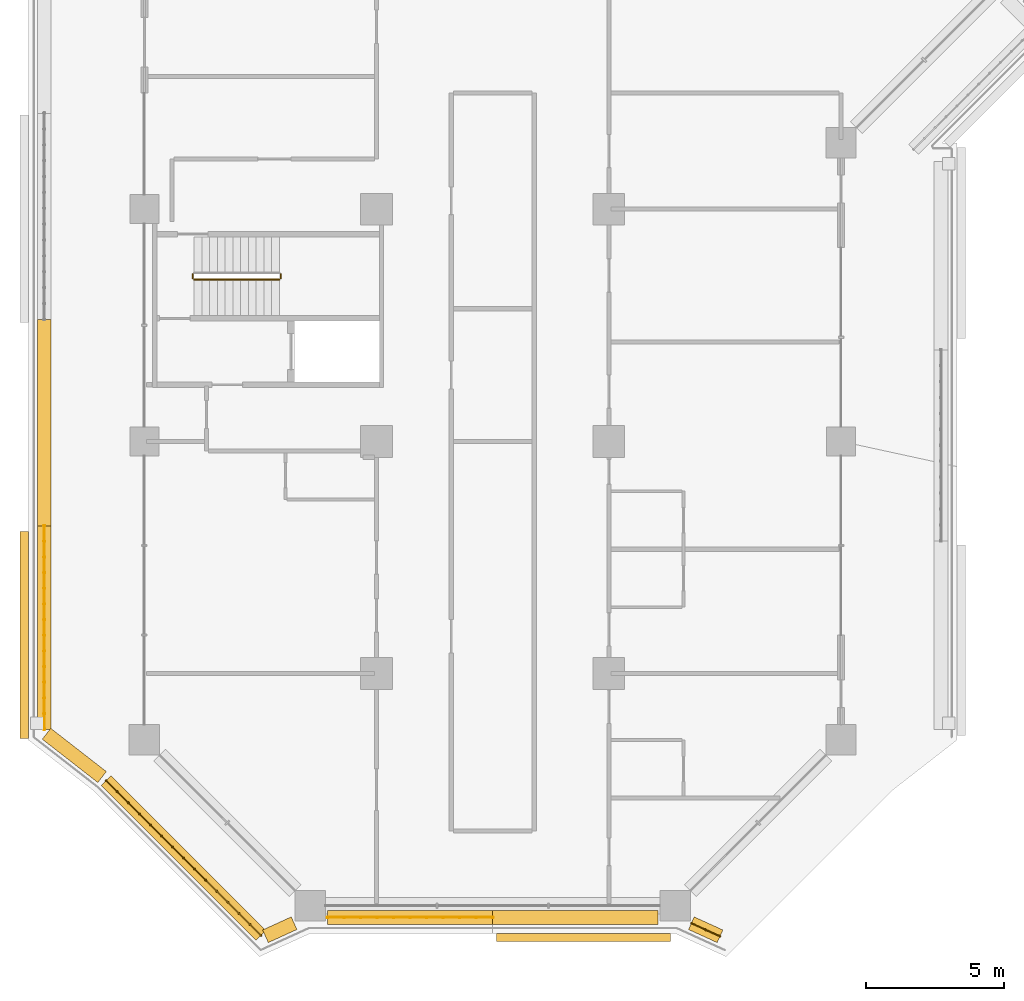
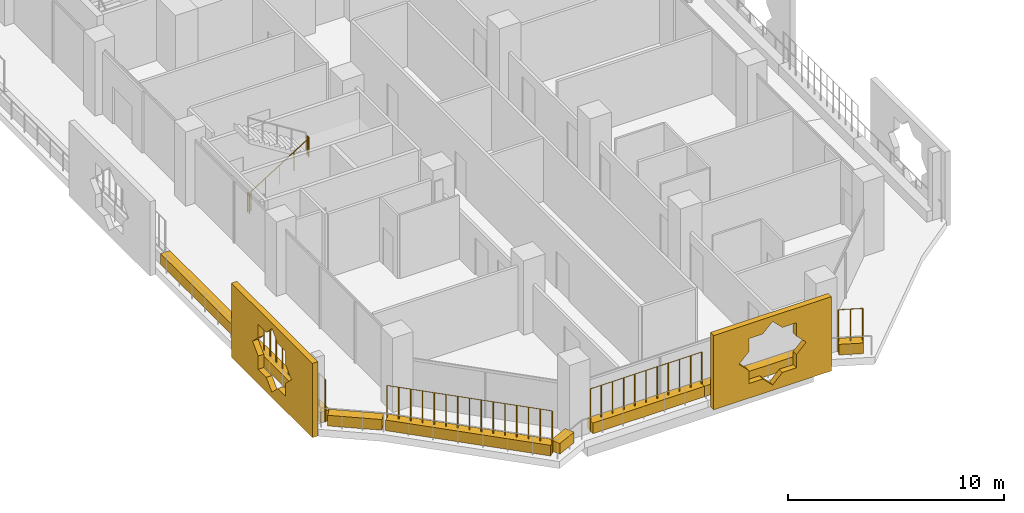
# One storey, part 19 of 25: 10 coverings, 7 railings.
"""IFC4 building model written with IfcOpenShell, lengths in metres."""

from ifc_helpers import new_model, si_unit, direction, frame, origin, origin_2d, place, context, subcontext, project, spatial, polyline, rectangle, circle, outline, extrude, material, material_profile, profile_set, type_object, element, save


model = new_model("IFC4")

# Units and contexts
model_context = context("Model", 3, precision=1e-05, world=origin(), true_north=direction((0.0, 1.0)))
body_context = subcontext(model_context, "Body", "Model", "MODEL_VIEW")
ifc_project = project(units=[si_unit("LENGTHUNIT", "METRE"), si_unit("AREAUNIT", "SQUARE_METRE"), si_unit("VOLUMEUNIT", "CUBIC_METRE"), si_unit("PLANEANGLEUNIT", "RADIAN"), si_unit("MASSUNIT", "GRAM", prefix="KILO")], contexts=[model_context])

# Site, building, storey
site_placement = place(None, origin())
site = spatial("IfcSite", under=ifc_project, at=site_placement, CompositionType="ELEMENT")
building_placement = place(site_placement, origin())
building = spatial("IfcBuilding", under=site, at=building_placement, Name="Kawkab Arch Medical Tower", CompositionType="ELEMENT")
storey_placement = place(building_placement, frame((0.0, 0.0, 145.0)))
storey = spatial("IfcBuildingStorey", under=building, at=storey_placement, Name="L33", CompositionType="ELEMENT", Elevation=145.0)

# Coverings
ifc_material_1 = material(Name="Bronze anodised aluminium mashrabiya panel, eight-point star pattern", Category="aluminium")
ifc_material_profile_1 = material_profile(ifc_material_1, outline(polyline([(-3.14990234375, -2.10009765625), (3.14990234375, -2.10009765625), (3.14990234375, 2.10009765625), (-3.14990234375, 2.10009765625), (-3.14990234375, -2.10009765625)]), holes=[polyline([(1.800048828125, 0.0), (1.272705078125, 0.527099609375), (1.272705078125, 1.272705078125), (0.527099609375, 1.272705078125), (0.0, 1.800048828125), (-0.527099609375, 1.272705078125), (-1.272705078125, 1.272705078125), (-1.272705078125, 0.527099609375), (-1.800048828125, 0.0), (-1.272705078125, -0.527099609375), (-1.272705078125, -1.272705078125), (-0.527099609375, -1.272705078125), (0.0, -1.800048828125), (0.527099609375, -1.272705078125), (1.272705078125, -1.272705078125), (1.272705078125, -0.527099609375), (1.800048828125, 0.0)])]), Name="Mashrabiya panel 6300x4200")
ifc_profile_set_1 = profile_set([ifc_material_profile_1], Name="Bronze anodised aluminium mashrabiya panel, eight-point star pattern")
covering_type_1 = type_object("IfcCoveringType", Name="Mashrabiya panel 6300 x 4200", PredefinedType="USERDEFINED", material=ifc_profile_set_1)
covering_1_placement = place(storey_placement, frame((15.881103515625, -59.800048828125, 1.699951171875), z_axis=(0.0, -1.0, 0.0), x_axis=(1.0, 0.0, 0.0)))
element("IfcCovering", 1, at=covering_1_placement, inside=storey, type_object=covering_type_1, Name="Mashrabiya panel L33.LOG-01-01.1", ObjectType="SCREEN", PredefinedType="USERDEFINED", context=body_context, shape_type="SweptSolid", body=[
    extrude(outline(polyline([(-3.14990234375, -2.10009765625), (3.14990234375, -2.10009765625), (3.14990234375, 2.10009765625), (-3.14990234375, 2.10009765625), (-3.14990234375, -2.10009765625)]), holes=[polyline([(1.800048828125, 0.0), (1.272705078125, 0.527099609375), (1.272705078125, 1.272705078125), (0.527099609375, 1.272705078125), (0.0, 1.800048828125), (-0.527099609375, 1.272705078125), (-1.272705078125, 1.272705078125), (-1.272705078125, 0.527099609375), (-1.800048828125, 0.0), (-1.272705078125, -0.527099609375), (-1.272705078125, -1.272705078125), (-0.527099609375, -1.272705078125), (0.0, -1.800048828125), (0.527099609375, -1.272705078125), (1.272705078125, -1.272705078125), (1.272705078125, -0.527099609375), (1.800048828125, 0.0)])]), origin(), (0.0, 0.0, 1.0), 0.300048828125),
])
ifc_material_2 = material(Name="Bronze anodised aluminium mashrabiya panel, eight-point star pattern", Category="aluminium")
ifc_material_profile_2 = material_profile(ifc_material_2, outline(polyline([(-3.75, -2.10009765625), (3.75, -2.10009765625), (3.75, 2.10009765625), (-3.75, 2.10009765625), (-3.75, -2.10009765625)]), holes=[polyline([(1.800048828125, 0.0), (1.272705078125, 0.527099609375), (1.272705078125, 1.272705078125), (0.527099609375, 1.272705078125), (0.0, 1.800048828125), (-0.527099609375, 1.272705078125), (-1.272705078125, 1.272705078125), (-1.272705078125, 0.527099609375), (-1.800048828125, 0.0), (-1.272705078125, -0.527099609375), (-1.272705078125, -1.272705078125), (-0.527099609375, -1.272705078125), (0.0, -1.800048828125), (0.527099609375, -1.272705078125), (1.272705078125, -1.272705078125), (1.272705078125, -0.527099609375), (1.800048828125, 0.0)])]), Name="Mashrabiya panel 7500x4200")
ifc_profile_set_2 = profile_set([ifc_material_profile_2], Name="Bronze anodised aluminium mashrabiya panel, eight-point star pattern")
covering_type_2 = type_object("IfcCoveringType", Name="Mashrabiya panel 7500 x 4200", PredefinedType="USERDEFINED", material=ifc_profile_set_2)
covering_2_placement = place(storey_placement, frame((-4.199951171875, -49.00439453125, 1.699951171875), z_axis=(-1.0, 0.0, 0.0), x_axis=(0.0, -1.0, 0.0)))
element("IfcCovering", 2, at=covering_2_placement, inside=storey, type_object=covering_type_2, Name="Mashrabiya panel L33.LOG-01-01.2", ObjectType="SCREEN", PredefinedType="USERDEFINED", context=body_context, shape_type="SweptSolid", body=[
    extrude(outline(polyline([(-3.75, -2.10009765625), (3.75, -2.10009765625), (3.75, 2.10009765625), (-3.75, 2.10009765625), (-3.75, -2.10009765625)]), holes=[polyline([(1.800048828125, 0.0), (1.272705078125, 0.527099609375), (1.272705078125, 1.272705078125), (0.527099609375, 1.272705078125), (0.0, 1.800048828125), (-0.527099609375, 1.272705078125), (-1.272705078125, 1.272705078125), (-1.272705078125, 0.527099609375), (-1.800048828125, 0.0), (-1.272705078125, -0.527099609375), (-1.272705078125, -1.272705078125), (-0.527099609375, -1.272705078125), (0.0, -1.800048828125), (0.527099609375, -1.272705078125), (1.272705078125, -1.272705078125), (1.272705078125, -0.527099609375), (1.800048828125, 0.0)])]), origin(), (0.0, 0.0, 1.0), 0.300048828125),
])
ifc_material_3 = material(Name="Planting soil in a precast trough", Category="concrete")
ifc_material_profile_3 = material_profile(ifc_material_3, rectangle(XDim=0.5, YDim=0.60009765625, at=origin_2d()), Name="Trough 500x600")
ifc_profile_set_3 = profile_set([ifc_material_profile_3], Name="Planting soil in a precast trough")
covering_type_3 = type_object("IfcCoveringType", Name="Planter trough 500 x 600", PredefinedType="USERDEFINED", material=ifc_profile_set_3)
covering_3_placement = place(storey_placement, frame((20.821044921875, -59.902099609375, 0.300048828125), z_axis=(-0.909821891123, 0.414998947508, 0.0), x_axis=(-0.414998947508, -0.909821891123, 0.0)))
element("IfcCovering", 3, at=covering_3_placement, inside=storey, type_object=covering_type_3, Name="Planter L33.LOG-01-01.1", ObjectType="PLANTER", PredefinedType="USERDEFINED", context=body_context, shape_type="SweptSolid", body=[
    extrude(rectangle(XDim=0.5, YDim=0.60009765625, at=origin_2d()), origin(), (0.0, 0.0, 1.0), 1.1376953125),
])
covering_4_placement = place(storey_placement, frame((18.570068359375, -59.219970703125, 0.300048828125), z_axis=(-1.0, 0.0, 0.0), x_axis=(0.0, -1.0, 0.0)))
element("IfcCovering", 4, at=covering_4_placement, inside=storey, type_object=covering_type_3, Name="Planter L33.LOG-01-01.2", ObjectType="PLANTER", PredefinedType="USERDEFINED", context=body_context, shape_type="SweptSolid", body=[
    extrude(rectangle(XDim=0.5, YDim=0.60009765625, at=origin_2d()), origin(), (0.0, 0.0, 1.0), 5.969970703125),
])
covering_5_placement = place(storey_placement, frame((12.60009765625, -59.219970703125, 0.300048828125), z_axis=(-1.0, 0.0, 0.0), x_axis=(0.0, -1.0, 0.0)))
element("IfcCovering", 5, at=covering_5_placement, inside=storey, type_object=covering_type_3, Name="Planter L33.LOG-01-01.3", ObjectType="PLANTER", PredefinedType="USERDEFINED", context=body_context, shape_type="SweptSolid", body=[
    extrude(rectangle(XDim=0.5, YDim=0.60009765625, at=origin_2d()), origin(), (0.0, 0.0, 1.0), 5.97021484375),
])
covering_6_placement = place(storey_placement, frame((5.4140625, -59.429931640625, 0.300048828125), z_axis=(-0.909821891123, -0.414998947508, 0.0), x_axis=(0.414998947508, -0.909821891123, 0.0)))
element("IfcCovering", 6, at=covering_6_placement, inside=storey, type_object=covering_type_3, Name="Planter L33.LOG-01-01.4", ObjectType="PLANTER", PredefinedType="USERDEFINED", context=body_context, shape_type="SweptSolid", body=[
    extrude(rectangle(XDim=0.5, YDim=0.60009765625, at=origin_2d()), origin(), (0.0, 0.0, 1.0), 1.1376953125),
])
covering_7_placement = place(storey_placement, frame((4.217041015625, -59.873046875, 0.300048828125), z_axis=(-0.707106781187, 0.707106781187, 0.0), x_axis=(-0.707106781187, -0.707106781187, 0.0)))
element("IfcCovering", 7, at=covering_7_placement, inside=storey, type_object=covering_type_3, Name="Planter L33.LOG-01-01.5", ObjectType="PLANTER", PredefinedType="USERDEFINED", context=body_context, shape_type="SweptSolid", body=[
    extrude(rectangle(XDim=0.5, YDim=0.60009765625, at=origin_2d()), origin(), (0.0, 0.0, 1.0), 7.919677734375),
])
covering_8_placement = place(storey_placement, frame((-1.531982421875, -54.14111328125, 0.300048828125), z_axis=(-0.789228258436, 0.614099956103, 0.0), x_axis=(-0.614099956103, -0.789228258436, 0.0)))
element("IfcCovering", 8, at=covering_8_placement, inside=storey, type_object=covering_type_3, Name="Planter L33.LOG-01-01.6", ObjectType="PLANTER", PredefinedType="USERDEFINED", context=body_context, shape_type="SweptSolid", body=[
    extrude(rectangle(XDim=0.5, YDim=0.60009765625, at=origin_2d()), origin(), (0.0, 0.0, 1.0), 2.545654296875),
])
covering_9_placement = place(storey_placement, frame((-3.6201171875, -52.416015625, 0.300048828125), z_axis=(0.0, 1.0, 0.0), x_axis=(-1.0, 0.0, 0.0)))
element("IfcCovering", 9, at=covering_9_placement, inside=storey, type_object=covering_type_3, Name="Planter L33.LOG-01-01.7", ObjectType="PLANTER", PredefinedType="USERDEFINED", context=body_context, shape_type="SweptSolid", body=[
    extrude(rectangle(XDim=0.5, YDim=0.60009765625, at=origin_2d()), origin(), (0.0, 0.0, 1.0), 7.361083984375),
])
covering_10_placement = place(storey_placement, frame((-3.6201171875, -45.054931640625, 0.300048828125), z_axis=(0.0, 1.0, 0.0), x_axis=(-1.0, 0.0, 0.0)))
element("IfcCovering", 10, at=covering_10_placement, inside=storey, type_object=covering_type_3, Name="Planter L33.LOG-01-01.8", ObjectType="PLANTER", PredefinedType="USERDEFINED", context=body_context, shape_type="SweptSolid", body=[
    extrude(rectangle(XDim=0.5, YDim=0.60009765625, at=origin_2d()), origin(), (0.0, 0.0, 1.0), 7.4619140625),
])

# Railings
ifc_material_4 = material(Name="Bronze anodised aluminium trellis for climbing plants", Category="aluminium")
railing_type_1 = type_object("IfcRailingType", Name="Planting trellis 2400", PredefinedType="USERDEFINED", material=ifc_material_4)
railing_1_placement = place(storey_placement, frame((20.821044921875, -59.902099609375, 0.0)))
element("IfcRailing", 11, at=railing_1_placement, inside=storey, type_object=railing_type_1, Name="Planting trellis L33.LOG-01-01.1", ObjectType="TRELLIS", PredefinedType="USERDEFINED", context=body_context, shape_type="SweptSolid", body=[
    extrude(circle(Radius=0.01513671875, at=origin_2d()), frame((0.0, 0.0, 2.384765625), z_axis=(-0.909821891123, 0.414998947508, 0.0), x_axis=(-0.414998947508, -0.909821891123, 0.0)), (0.0, 0.0, 1.0), 1.1376953125),
    extrude(circle(Radius=0.030029296875, at=origin_2d()), origin(), (0.0, 0.0, 1.0), 2.369873046875),
    extrude(circle(Radius=0.030029296875, at=origin_2d()), frame((-0.517578125, 0.236083984375, 0.0)), (0.0, 0.0, 1.0), 2.369873046875),
    extrude(circle(Radius=0.030029296875, at=origin_2d()), frame((-1.03515625, 0.47216796875, 0.0)), (0.0, 0.0, 1.0), 2.369873046875),
])
railing_2_placement = place(storey_placement, frame((12.60009765625, -59.219970703125, 0.0)))
element("IfcRailing", 12, at=railing_2_placement, inside=storey, type_object=railing_type_1, Name="Planting trellis L33.LOG-01-01.3", ObjectType="TRELLIS", PredefinedType="USERDEFINED", context=body_context, shape_type="SweptSolid", body=[
    extrude(circle(Radius=0.01513671875, at=origin_2d()), frame((0.0, 0.0, 2.384765625), z_axis=(-1.0, 0.0, 0.0), x_axis=(0.0, -1.0, 0.0)), (0.0, 0.0, 1.0), 5.97021484375),
    extrude(circle(Radius=0.030029296875, at=origin_2d()), origin(), (0.0, 0.0, 1.0), 2.369873046875),
    extrude(circle(Radius=0.030029296875, at=origin_2d()), frame((-0.596923828125, 0.0, 0.0)), (0.0, 0.0, 1.0), 2.369873046875),
    extrude(circle(Radius=0.030029296875, at=origin_2d()), frame((-1.194091796875, 0.0, 0.0)), (0.0, 0.0, 1.0), 2.369873046875),
    extrude(circle(Radius=0.030029296875, at=origin_2d()), frame((-1.791015625, 0.0, 0.0)), (0.0, 0.0, 1.0), 2.369873046875),
    extrude(circle(Radius=0.030029296875, at=origin_2d()), frame((-2.38818359375, 0.0, 0.0)), (0.0, 0.0, 1.0), 2.369873046875),
    extrude(circle(Radius=0.030029296875, at=origin_2d()), frame((-2.985107421875, 0.0, 0.0)), (0.0, 0.0, 1.0), 2.369873046875),
    extrude(circle(Radius=0.030029296875, at=origin_2d()), frame((-3.58203125, 0.0, 0.0)), (0.0, 0.0, 1.0), 2.369873046875),
    extrude(circle(Radius=0.030029296875, at=origin_2d()), frame((-4.17919921875, 0.0, 0.0)), (0.0, 0.0, 1.0), 2.369873046875),
    extrude(circle(Radius=0.030029296875, at=origin_2d()), frame((-4.776123046875, 0.0, 0.0)), (0.0, 0.0, 1.0), 2.369873046875),
    extrude(circle(Radius=0.030029296875, at=origin_2d()), frame((-5.373291015625, 0.0, 0.0)), (0.0, 0.0, 1.0), 2.369873046875),
    extrude(circle(Radius=0.030029296875, at=origin_2d()), frame((-5.97021484375, 0.0, 0.0)), (0.0, 0.0, 1.0), 2.369873046875),
])
railing_3_placement = place(storey_placement, frame((4.217041015625, -59.873046875, 0.0)))
element("IfcRailing", 13, at=railing_3_placement, inside=storey, type_object=railing_type_1, Name="Planting trellis L33.LOG-01-01.5", ObjectType="TRELLIS", PredefinedType="USERDEFINED", context=body_context, shape_type="SweptSolid", body=[
    extrude(circle(Radius=0.01513671875, at=origin_2d()), frame((0.0, 0.0, 2.384765625), z_axis=(-0.707106781187, 0.707106781187, 0.0), x_axis=(-0.707106781187, -0.707106781187, 0.0)), (0.0, 0.0, 1.0), 7.919677734375),
    extrude(circle(Radius=0.030029296875, at=origin_2d()), origin(), (0.0, 0.0, 1.0), 2.369873046875),
    extrude(circle(Radius=0.030029296875, at=origin_2d()), frame((-0.39990234375, 0.39990234375, 0.0)), (0.0, 0.0, 1.0), 2.369873046875),
    extrude(circle(Radius=0.030029296875, at=origin_2d()), frame((-0.800048828125, 0.800048828125, 0.0)), (0.0, 0.0, 1.0), 2.369873046875),
    extrude(circle(Radius=0.030029296875, at=origin_2d()), frame((-1.199951171875, 1.199951171875, 0.0)), (0.0, 0.0, 1.0), 2.369873046875),
    extrude(circle(Radius=0.030029296875, at=origin_2d()), frame((-1.60009765625, 1.60009765625, 0.0)), (0.0, 0.0, 1.0), 2.369873046875),
    extrude(circle(Radius=0.030029296875, at=origin_2d()), frame((-2.0, 2.0, 0.0)), (0.0, 0.0, 1.0), 2.369873046875),
    extrude(circle(Radius=0.030029296875, at=origin_2d()), frame((-2.400146484375, 2.400146484375, 0.0)), (0.0, 0.0, 1.0), 2.369873046875),
    extrude(circle(Radius=0.030029296875, at=origin_2d()), frame((-2.800048828125, 2.800048828125, 0.0)), (0.0, 0.0, 1.0), 2.369873046875),
    extrude(circle(Radius=0.030029296875, at=origin_2d()), frame((-3.199951171875, 3.199951171875, 0.0)), (0.0, 0.0, 1.0), 2.369873046875),
    extrude(circle(Radius=0.030029296875, at=origin_2d()), frame((-3.60009765625, 3.60009765625, 0.0)), (0.0, 0.0, 1.0), 2.369873046875),
    extrude(circle(Radius=0.030029296875, at=origin_2d()), frame((-4.0, 4.0, 0.0)), (0.0, 0.0, 1.0), 2.369873046875),
    extrude(circle(Radius=0.030029296875, at=origin_2d()), frame((-4.400146484375, 4.400146484375, 0.0)), (0.0, 0.0, 1.0), 2.369873046875),
    extrude(circle(Radius=0.030029296875, at=origin_2d()), frame((-4.800048828125, 4.800048828125, 0.0)), (0.0, 0.0, 1.0), 2.369873046875),
    extrude(circle(Radius=0.030029296875, at=origin_2d()), frame((-5.2001953125, 5.2001953125, 0.0)), (0.0, 0.0, 1.0), 2.369873046875),
    extrude(circle(Radius=0.030029296875, at=origin_2d()), frame((-5.60009765625, 5.60009765625, 0.0)), (0.0, 0.0, 1.0), 2.369873046875),
])
railing_4_placement = place(storey_placement, frame((-3.6201171875, -52.416015625, 0.0)))
element("IfcRailing", 14, at=railing_4_placement, inside=storey, type_object=railing_type_1, Name="Planting trellis L33.LOG-01-01.7", ObjectType="TRELLIS", PredefinedType="USERDEFINED", context=body_context, shape_type="SweptSolid", body=[
    extrude(circle(Radius=0.01513671875, at=origin_2d()), frame((0.0, 0.0, 2.384765625), z_axis=(0.0, 1.0, 0.0), x_axis=(-1.0, 0.0, 0.0)), (0.0, 0.0, 1.0), 7.361083984375),
    extrude(circle(Radius=0.030029296875, at=origin_2d()), origin(), (0.0, 0.0, 1.0), 2.369873046875),
    extrude(circle(Radius=0.030029296875, at=origin_2d()), frame((0.0, 0.566162109375, 0.0)), (0.0, 0.0, 1.0), 2.369873046875),
    extrude(circle(Radius=0.030029296875, at=origin_2d()), frame((0.0, 1.132568359375, 0.0)), (0.0, 0.0, 1.0), 2.369873046875),
    extrude(circle(Radius=0.030029296875, at=origin_2d()), frame((0.0, 1.69873046875, 0.0)), (0.0, 0.0, 1.0), 2.369873046875),
    extrude(circle(Radius=0.030029296875, at=origin_2d()), frame((0.0, 2.264892578125, 0.0)), (0.0, 0.0, 1.0), 2.369873046875),
    extrude(circle(Radius=0.030029296875, at=origin_2d()), frame((0.0, 2.831298828125, 0.0)), (0.0, 0.0, 1.0), 2.369873046875),
    extrude(circle(Radius=0.030029296875, at=origin_2d()), frame((0.0, 3.3974609375, 0.0)), (0.0, 0.0, 1.0), 2.369873046875),
    extrude(circle(Radius=0.030029296875, at=origin_2d()), frame((0.0, 3.963623046875, 0.0)), (0.0, 0.0, 1.0), 2.369873046875),
    extrude(circle(Radius=0.030029296875, at=origin_2d()), frame((0.0, 4.52978515625, 0.0)), (0.0, 0.0, 1.0), 2.369873046875),
    extrude(circle(Radius=0.030029296875, at=origin_2d()), frame((0.0, 5.09619140625, 0.0)), (0.0, 0.0, 1.0), 2.369873046875),
    extrude(circle(Radius=0.030029296875, at=origin_2d()), frame((0.0, 5.662353515625, 0.0)), (0.0, 0.0, 1.0), 2.369873046875),
    extrude(circle(Radius=0.030029296875, at=origin_2d()), frame((0.0, 6.228515625, 0.0)), (0.0, 0.0, 1.0), 2.369873046875),
    extrude(circle(Radius=0.030029296875, at=origin_2d()), frame((0.0, 6.794921875, 0.0)), (0.0, 0.0, 1.0), 2.369873046875),
    extrude(circle(Radius=0.030029296875, at=origin_2d()), frame((0.0, 7.361083984375, 0.0)), (0.0, 0.0, 1.0), 2.369873046875),
])
ifc_material_5 = material(Name="Stainless steel", Category="steel")
railing_type_2 = type_object("IfcRailingType", Name="Stair guard 1100", PredefinedType="GUARDRAIL", material=ifc_material_5)
railing_5_placement = place(storey_placement, frame((1.800048828125, -36.14990234375, 0.175048828125)))
element("IfcRailing", 15, at=railing_5_placement, inside=storey, type_object=railing_type_2, Name="L33 ST6 stair guard 1", PredefinedType="GUARDRAIL", context=body_context, shape_type="SweptSolid", body=[
    extrude(circle(Radius=0.02392578125, at=origin_2d()), frame((0.0, 0.0, 1.076171875), z_axis=(0.847979421464, 0.0, 0.530029150871), x_axis=(0.0, 1.0, 0.0)), (0.0, 0.0, 1.0), 3.632080078125),
    extrude(circle(Radius=0.02099609375, at=origin_2d()), origin(), (0.0, 0.0, 1.0), 1.052001953125),
    extrude(circle(Radius=0.02099609375, at=origin_2d()), frame((0.77001953125, 0.0, 0.481201171875)), (0.0, 0.0, 1.0), 1.052001953125),
    extrude(circle(Radius=0.02099609375, at=origin_2d()), frame((1.5400390625, 0.0, 0.96240234375)), (0.0, 0.0, 1.0), 1.052001953125),
    extrude(circle(Radius=0.02099609375, at=origin_2d()), frame((2.309814453125, 0.0, 1.44384765625)), (0.0, 0.0, 1.0), 1.052001953125),
    extrude(circle(Radius=0.02099609375, at=origin_2d()), frame((3.079833984375, 0.0, 1.925048828125)), (0.0, 0.0, 1.0), 1.052001953125),
])
for number, where, name in (
    (16, (4.929931640625, -36.10009765625, 2.10009765625), "L33 ST6 stair guard 2"),
    (17, (1.75, -36.10009765625, 0.0), "L33 ST6 stair guard 4"),
):
    element("IfcRailing", number, at=place(storey_placement, frame(where)), inside=storey, type_object=railing_type_2, Name=name, PredefinedType="GUARDRAIL", context=body_context, shape_type="SweptSolid", body=[
        extrude(circle(Radius=0.02392578125, at=origin_2d()), frame((0.0, 0.0, 1.076171875), z_axis=(0.0, 1.0, 0.0), x_axis=(-1.0, 0.0, 0.0)), (0.0, 0.0, 1.0), 0.150146484375),
        extrude(circle(Radius=0.02099609375, at=origin_2d()), origin(), (0.0, 0.0, 1.0), 1.052001953125),
        extrude(circle(Radius=0.02099609375, at=origin_2d()), frame((0.0, 0.150146484375, 0.0)), (0.0, 0.0, 1.0), 1.052001953125),
    ])

save(model, "model.ifc")
